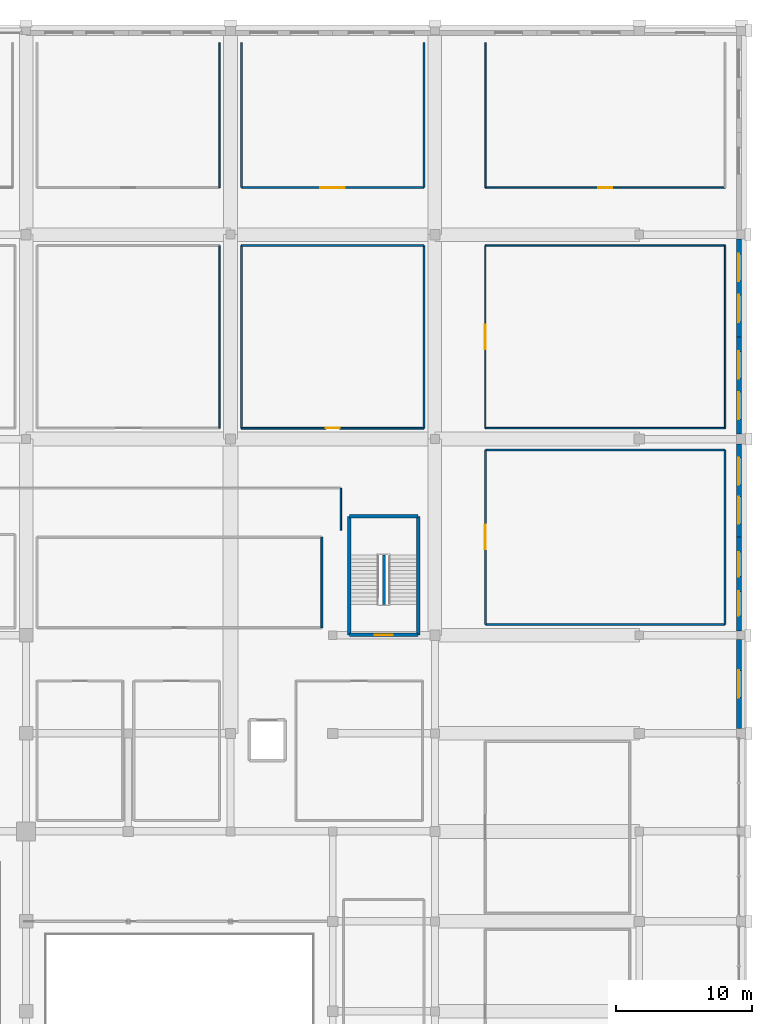
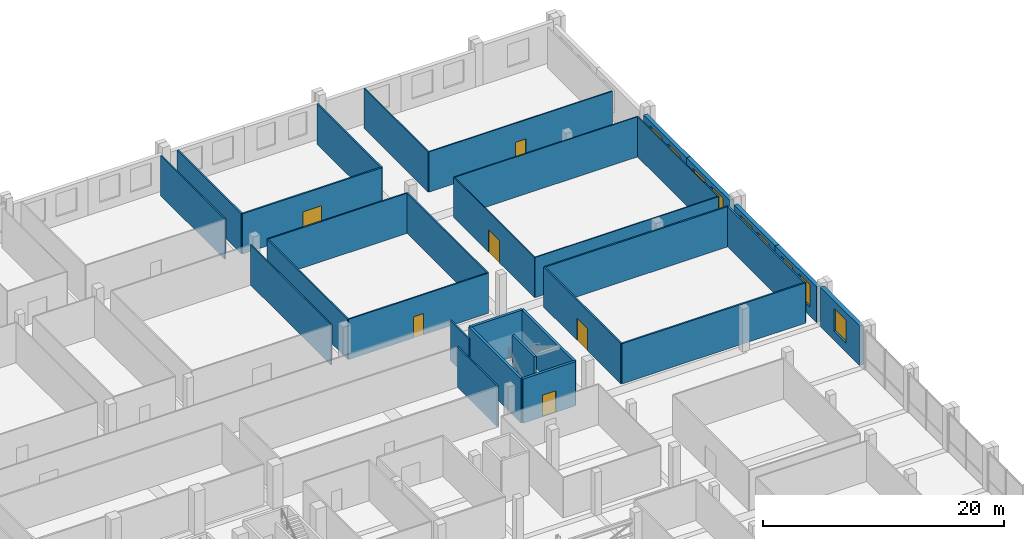
# One storey, part 52 of 64: 31 walls, 9 windows, 6 doors, 15 openings.
"""IFC4 building model written with IfcOpenShell, lengths in metres."""

import ifcopenshell
import ifcopenshell.guid

model = None  # the IFC model being written
_history = None  # IfcOwnerHistory: only IFC2X3 demands one
_inside = {}  # id of a spatial element -> (the spatial element, [elements in it])
_under = {}  # id of a project, library or spatial element -> (it, [spatial elements below it])
_declared = {}  # id of a project -> (the project, [libraries it declares])
_typed = {}  # id of a type object -> (the type object, [elements of that type])
_made_of = {}  # id of a material, layer set ... -> (it, [elements and type objects made of it])


def new_model(schema):
    """Start an empty IFC model of exactly this schema.

    Asked for "IFC4X3", IfcOpenShell would pick the latest addendum, in which some entities
    have other attributes; the version numbers below select the first issue.
    IFC2X3 requires an IfcOwnerHistory on every rooted entity: one is made here for all.
    """
    global model, _history
    if schema == "IFC4X3":
        model = ifcopenshell.file(schema_version=(4, 3, 0, 0))
    else:
        model = ifcopenshell.file(schema=schema)
    _inside.clear()
    _under.clear()
    _declared.clear()
    _typed.clear()
    _made_of.clear()
    _history = None
    if model.schema == "IFC2X3":
        org = make("IfcOrganization", Name="unknown")
        user = make(
            "IfcPersonAndOrganization",
            ThePerson=make("IfcPerson", FamilyName="unknown"),
            TheOrganization=org,
        )
        app = make(
            "IfcApplication",
            ApplicationDeveloper=org,
            Version="unknown",
            ApplicationFullName="unknown",
            ApplicationIdentifier="unknown",
        )
        _history = make(
            "IfcOwnerHistory",
            OwningUser=user,
            OwningApplication=app,
            ChangeAction="ADDED",
            CreationDate=0,
        )
    return model


def make(cls, **values):
    """One entity of the class cls with the attributes given. An attribute that is None is left unset."""
    return model.create_entity(
        cls, **{name: value for name, value in values.items() if value is not None}
    )


def rooted(cls, **values):
    """An entity with a GlobalId (a new one), such as an element, a storey or a relation."""
    return make(cls, GlobalId=ifcopenshell.guid.new(), OwnerHistory=_history, **values)


def si_unit(unit_type, name, prefix=None):
    """IfcSIUnit, for example si_unit("LENGTHUNIT", "METRE", prefix="MILLI")."""
    return make("IfcSIUnit", UnitType=unit_type, Prefix=prefix, Name=name)


def assignment(units):
    """IfcUnitAssignment: the units of a project."""
    return None if units is None else make("IfcUnitAssignment", Units=units)


def point(xyz):
    """IfcCartesianPoint."""
    return None if xyz is None else make("IfcCartesianPoint", Coordinates=xyz)


def direction(xyz):
    """IfcDirection."""
    return None if xyz is None else make("IfcDirection", DirectionRatios=xyz)


def frame(location, z_axis=None, x_axis=None):
    """IfcAxis2Placement3D, a coordinate frame: its origin and axes. An axis left out is left unset."""
    return make(
        "IfcAxis2Placement3D",
        Location=point(location),
        Axis=direction(z_axis),
        RefDirection=direction(x_axis),
    )


def frame_2d(location, x_axis=None):
    """IfcAxis2Placement2D, a coordinate frame in the plane: its origin and x axis."""
    return make(
        "IfcAxis2Placement2D", Location=point(location), RefDirection=direction(x_axis)
    )


def origin():
    """The frame at (0, 0, 0) with its axes left unset."""
    return frame((0.0, 0.0, 0.0))


def place(relative_to, where):
    """IfcLocalPlacement: puts the frame where relative to a parent placement (None: the world)."""
    return make(
        "IfcLocalPlacement", PlacementRelTo=relative_to, RelativePlacement=where
    )


def context(
    kind, dimensions, precision=None, world=None, true_north=None, identifier=None
):
    """IfcGeometricRepresentationContext, for example the 3D "Model" context."""
    return make(
        "IfcGeometricRepresentationContext",
        ContextIdentifier=identifier,
        ContextType=kind,
        CoordinateSpaceDimension=dimensions,
        Precision=precision,
        WorldCoordinateSystem=world,
        TrueNorth=true_north,
    )


def subcontext(parent, identifier, kind, view, scale=None):
    """IfcGeometricRepresentationSubContext, for example "Body" below "Model"."""
    return make(
        "IfcGeometricRepresentationSubContext",
        ContextIdentifier=identifier,
        ContextType=kind,
        ParentContext=parent,
        TargetScale=scale,
        TargetView=view,
    )


def project(units=None, contexts=None):
    """IfcProject with its units and contexts."""
    return rooted(
        "IfcProject",
        Name="project",
        RepresentationContexts=contexts,
        UnitsInContext=assignment(units),
    )


def spatial(cls, under=None, at=None, **own):
    """A site, building, storey or space (cls), placed at a placement, below another one or the project."""
    s = rooted(cls, ObjectPlacement=at, **own)
    if under is not None:
        _under.setdefault(under.id(), (under, []))[1].append(s)
    return s


def profile(cls, at=None, kind="AREA", **sizes):
    """A parametric profile (cls). Its sizes go by their IFC names, for example OverallWidth=200.0."""
    return make(cls, ProfileType=kind, Position=at, **sizes)


def rectangle(**sizes):
    """IfcRectangleProfileDef."""
    return profile("IfcRectangleProfileDef", **sizes)


def extrude(swept, where, along, depth):
    """IfcExtrudedAreaSolid: the profile swept, set in the frame where, extruded along a direction by depth."""
    return make(
        "IfcExtrudedAreaSolid",
        SweptArea=swept,
        Position=where,
        ExtrudedDirection=direction(along),
        Depth=depth,
    )


def shape(context_of_items, identifier, shape_type, items):
    """IfcShapeRepresentation: the items that make up one representation, for example the "Body"."""
    return make(
        "IfcShapeRepresentation",
        ContextOfItems=context_of_items,
        RepresentationIdentifier=identifier,
        RepresentationType=shape_type,
        Items=items,
    )


def material(Name=None, Category=None):
    """IfcMaterial."""
    return make("IfcMaterial", Name=Name, Category=Category)


def layer(
    of_material, thickness, ventilated=None, Name=None, Category=None, Priority=None
):
    """IfcMaterialLayer: one layer of a wall or slab, of a material (None: an air gap)."""
    return make(
        "IfcMaterialLayer",
        Material=of_material,
        LayerThickness=thickness,
        IsVentilated=ventilated,
        Name=Name,
        Category=Category,
        Priority=Priority,
    )


def layer_set(layers, Name=None):
    """IfcMaterialLayerSet."""
    return make("IfcMaterialLayerSet", MaterialLayers=layers, LayerSetName=Name)


def made_of(thing, what):
    """Note that an element or type object is made of a material, layer set ...; save() writes the relation."""
    if what is not None:
        _made_of.setdefault(what.id(), (what, []))[1].append(thing)
    return thing


def type_object(cls, material=None, **own):
    """A type object (cls), such as IfcWallType, which elements share."""
    return made_of(rooted(cls, **own), material)


def element(
    cls,
    number,
    at=None,
    inside=None,
    cuts=None,
    type_object=None,
    material=None,
    context=None,
    identifier="Body",
    shape_type=None,
    held_by="IfcProductDefinitionShape",
    body=None,
    shapes=None,
    **own,
):
    """One element of the class cls, such as IfcWall. Its Tag is "e" and its number.

    at: its placement. inside: the storey or other place that contains it. cuts: it is an
    opening in that element (IfcRelVoidsElement). A single representation is given by context,
    identifier, shape_type and body (its items); several are given by shapes. held_by: the class
    of the entity that holds the representations. save() writes the other relations.
    """
    e = rooted(cls, Tag="e%d" % number, ObjectPlacement=at, **own)
    if body is not None:
        shapes = [shape(context, identifier, shape_type, body)]
    if shapes is not None:
        e.Representation = make(held_by, Representations=shapes)
    if inside is not None:
        _inside.setdefault(inside.id(), (inside, []))[1].append(e)
    if cuts is not None:
        rooted(
            "IfcRelVoidsElement", RelatingBuildingElement=cuts, RelatedOpeningElement=e
        )
    if type_object is not None:
        _typed.setdefault(type_object.id(), (type_object, []))[1].append(e)
    return made_of(e, material)


def fill(opening, filler):
    """IfcRelFillsElement: the door or window that sits in an opening."""
    return rooted(
        "IfcRelFillsElement",
        RelatingOpeningElement=opening,
        RelatedBuildingElement=filler,
    )


def aggregate(whole, parts):
    """IfcRelAggregates: a whole, such as a stair, and the parts it consists of."""
    return rooted("IfcRelAggregates", RelatingObject=whole, RelatedObjects=parts)


def save(model, path):
    """Write the relations noted so far, then the file.

    IfcRelAggregates (storeys below a building ...), IfcRelContainedInSpatialStructure (elements
    in a storey), IfcRelDefinesByType, IfcRelAssociatesMaterial and IfcRelDeclares: one each for
    every whole, place, type object, material and project.
    """
    for whole, parts in _under.values():
        aggregate(whole, parts)
    for where, things in _inside.values():
        rooted(
            "IfcRelContainedInSpatialStructure",
            RelatedElements=things,
            RelatingStructure=where,
        )
    for kind, things in _typed.values():
        rooted("IfcRelDefinesByType", RelatedObjects=things, RelatingType=kind)
    for what, things in _made_of.values():
        rooted("IfcRelAssociatesMaterial", RelatedObjects=things, RelatingMaterial=what)
    for by, libraries in _declared.values():
        rooted("IfcRelDeclares", RelatingContext=by, RelatedDefinitions=libraries)
    model.write(path)


model = new_model("IFC4")

# Units and contexts
model_context = context("Model", 3, precision=1e-05, world=origin(), true_north=direction((0.0, 1.0)))
body_context = subcontext(model_context, "Body", "Model", "MODEL_VIEW")
ifc_project = project(units=[si_unit("LENGTHUNIT", "METRE"), si_unit("AREAUNIT", "SQUARE_METRE"), si_unit("VOLUMEUNIT", "CUBIC_METRE"), si_unit("PLANEANGLEUNIT", "RADIAN"), si_unit("MASSUNIT", "GRAM", prefix="KILO")], contexts=[model_context])

# Site, building, storey
site_placement = place(None, origin())
site = spatial("IfcSite", under=ifc_project, at=site_placement, CompositionType="ELEMENT")
building_placement = place(site_placement, origin())
building = spatial("IfcBuilding", under=site, at=building_placement, Name="Akrevak Sports Hall", CompositionType="ELEMENT")
storey_placement = place(building_placement, frame((0.0, 0.0, 4.60009765625)))
storey = spatial("IfcBuildingStorey", under=building, at=storey_placement, Name="L01", CompositionType="ELEMENT", Elevation=4.60009765625)

# Wall, opening, window
ifc_material_1 = material(Name="Limestone Ashlar", Category="stone")
ifc_layer_1 = layer(ifc_material_1, 0.080078125, Name="Limestone Ashlar")
ifc_material_2 = material(Name="Mineral Wool Thermal Insulation", Category="insulation")
ifc_layer_2 = layer(ifc_material_2, 0.10009765625, Name="Mineral Wool Thermal Insulation")
ifc_material_3 = material(Name="Concrete C40/50", Category="concrete")
ifc_layer_3 = layer(ifc_material_3, 0.199951171875, Name="Concrete C40/50")
ifc_layer_set_1 = layer_set([ifc_layer_1, ifc_layer_2, ifc_layer_3], Name="Limestone Ashlar / Mineral Wool Thermal Insulation / Concrete C40/50")
wall_type_1 = type_object("IfcWallType", Name="ARC-WL-EXT-380", PredefinedType="SOLIDWALL", material=ifc_layer_set_1)
wall_1_placement = place(storey_placement, frame((167.81005859375, 62.77490234375, 0.0), z_axis=(0.0, 0.0, 1.0), x_axis=(0.0, 1.0, 0.0)))
wall_1 = element("IfcWall", 1, at=wall_1_placement, inside=storey, type_object=wall_type_1, Name="Exterior Limestone Wall L01-E10", PredefinedType="SOLIDWALL", context=body_context, shape_type="SweptSolid", body=[
    extrude(rectangle(XDim=6.5, YDim=0.3798828125, at=frame_2d((3.25, 0.0))), origin(), (0.0, 0.0, 1.0), 4.02001953125),
])
opening_1_placement = place(wall_1_placement, frame((2.25, 0.0, 0.919921875)))
opening_1 = element("IfcOpeningElement", 2, at=opening_1_placement, cuts=wall_1, Name="Opening WN-29", PredefinedType="OPENING", context=body_context, shape_type="SweptSolid", body=[
    extrude(rectangle(XDim=2.0, YDim=2.300048828125, at=frame_2d((1.0, 1.14990234375))), frame((0.0, 0.201904296875, 0.0), z_axis=(0.0, -1.0, 0.0), x_axis=(1.0, 0.0, 0.0)), (0.0, 0.0, 1.0), 0.40380859375),
])
ifc_material_4 = material(Name="Thermally Broken Bronze Frame & Double Low-E Glass", Category="glass")
window_type_1 = type_object("IfcWindowType", Name="ARC-WIN-SZ-2000x2300", PartitioningType="SINGLE_PANEL", PredefinedType="WINDOW", material=ifc_material_4)
window_1_placement = place(opening_1_placement, origin())
window_1 = element("IfcWindow", 3, at=window_1_placement, inside=storey, type_object=window_type_1, Name="Beaux-Arts Facade Window WIN-L01-E10", OverallHeight=2.300048828125, OverallWidth=2.0, PartitioningType="SINGLE_PANEL", PredefinedType="WINDOW", context=body_context, shape_type="SweptSolid", body=[
    extrude(rectangle(XDim=2.0, YDim=2.300048828125, at=frame_2d((1.0, 1.14990234375))), frame((0.0, 0.030029296875, 0.0), z_axis=(0.0, -1.0, 0.0), x_axis=(1.0, 0.0, 0.0)), (0.0, 0.0, 1.0), 0.06005859375),
])
fill(opening_1, window_1)

# Wall, openings, windows
wall_2_placement = place(storey_placement, frame((167.81005859375, 69.925048828125, 0.0), z_axis=(0.0, 0.0, 1.0), x_axis=(0.0, 1.0, 0.0)))
wall_2 = element("IfcWall", 4, at=wall_2_placement, inside=storey, type_object=wall_type_1, Name="Exterior Limestone Wall L01-E11", PredefinedType="SOLIDWALL", context=body_context, shape_type="SweptSolid", body=[
    extrude(rectangle(XDim=6.875, YDim=0.3798828125, at=frame_2d((3.4375, 0.0))), origin(), (0.0, 0.0, 1.0), 3.64990234375),
])
opening_2_placement = place(wall_2_placement, frame((1.09375, 0.0, 0.919921875)))
opening_2 = element("IfcOpeningElement", 5, at=opening_2_placement, cuts=wall_2, Name="Opening WN-31", PredefinedType="OPENING", context=body_context, shape_type="SweptSolid", body=[
    extrude(rectangle(XDim=1.800048828125, YDim=2.300048828125, at=frame_2d((0.89990234375, 1.14990234375))), frame((0.0, 0.201904296875, 0.0), z_axis=(0.0, -1.0, 0.0), x_axis=(1.0, 0.0, 0.0)), (0.0, 0.0, 1.0), 0.40380859375),
])
opening_3_placement = place(wall_2_placement, frame((3.981201171875, 0.0, 0.919921875)))
opening_3 = element("IfcOpeningElement", 6, at=opening_3_placement, cuts=wall_2, Name="Opening WN-31", PredefinedType="OPENING", context=body_context, shape_type="SweptSolid", body=[
    extrude(rectangle(XDim=1.800048828125, YDim=2.300048828125, at=frame_2d((0.89990234375, 1.14990234375))), frame((0.0, 0.201904296875, 0.0), z_axis=(0.0, -1.0, 0.0), x_axis=(1.0, 0.0, 0.0)), (0.0, 0.0, 1.0), 0.40380859375),
])
window_type_2 = type_object("IfcWindowType", Name="ARC-WIN-SZ-1800x2300", PartitioningType="SINGLE_PANEL", PredefinedType="WINDOW", material=ifc_material_4)
window_2_placement = place(opening_2_placement, origin())
window_2 = element("IfcWindow", 7, at=window_2_placement, inside=storey, type_object=window_type_2, Name="Beaux-Arts Facade Window WIN-L01-E11-1", OverallHeight=2.300048828125, OverallWidth=1.800048828125, PartitioningType="SINGLE_PANEL", PredefinedType="WINDOW", context=body_context, shape_type="SweptSolid", body=[
    extrude(rectangle(XDim=1.800048828125, YDim=2.300048828125, at=frame_2d((0.89990234375, 1.14990234375))), frame((0.0, 0.030029296875, 0.0), z_axis=(0.0, -1.0, 0.0), x_axis=(1.0, 0.0, 0.0)), (0.0, 0.0, 1.0), 0.06005859375),
])
fill(opening_2, window_2)
window_3_placement = place(opening_3_placement, origin())
window_3 = element("IfcWindow", 8, at=window_3_placement, inside=storey, type_object=window_type_2, Name="Beaux-Arts Facade Window WIN-L01-E11-2", OverallHeight=2.300048828125, OverallWidth=1.800048828125, PartitioningType="SINGLE_PANEL", PredefinedType="WINDOW", context=body_context, shape_type="SweptSolid", body=[
    extrude(rectangle(XDim=1.800048828125, YDim=2.300048828125, at=frame_2d((0.89990234375, 1.14990234375))), frame((0.0, 0.030029296875, 0.0), z_axis=(0.0, -1.0, 0.0), x_axis=(1.0, 0.0, 0.0)), (0.0, 0.0, 1.0), 0.06005859375),
])
fill(opening_3, window_3)

wall_3_placement = place(storey_placement, frame((167.81005859375, 76.800048828125, 0.0), z_axis=(0.0, 0.0, 1.0), x_axis=(0.0, 1.0, 0.0)))
wall_3 = element("IfcWall", 9, at=wall_3_placement, inside=storey, type_object=wall_type_1, Name="Exterior Limestone Wall L01-E12", PredefinedType="SOLIDWALL", context=body_context, shape_type="SweptSolid", body=[
    extrude(rectangle(XDim=6.824951171875, YDim=0.3798828125, at=frame_2d((3.41259765625, 0.0))), origin(), (0.0, 0.0, 1.0), 3.64990234375),
])
opening_4_placement = place(wall_3_placement, frame((0.979248046875, 0.0, 0.919921875)))
opening_4 = element("IfcOpeningElement", 10, at=opening_4_placement, cuts=wall_3, Name="Opening WN-29", PredefinedType="OPENING", context=body_context, shape_type="SweptSolid", body=[
    extrude(rectangle(XDim=2.0, YDim=2.300048828125, at=frame_2d((1.0, 1.14990234375))), frame((0.0, 0.201904296875, 0.0), z_axis=(0.0, -1.0, 0.0), x_axis=(1.0, 0.0, 0.0)), (0.0, 0.0, 1.0), 0.40380859375),
])
opening_5_placement = place(wall_3_placement, frame((3.845703125, 0.0, 0.919921875)))
opening_5 = element("IfcOpeningElement", 11, at=opening_5_placement, cuts=wall_3, Name="Opening WN-29", PredefinedType="OPENING", context=body_context, shape_type="SweptSolid", body=[
    extrude(rectangle(XDim=2.0, YDim=2.300048828125, at=frame_2d((1.0, 1.14990234375))), frame((0.0, 0.201904296875, 0.0), z_axis=(0.0, -1.0, 0.0), x_axis=(1.0, 0.0, 0.0)), (0.0, 0.0, 1.0), 0.40380859375),
])
window_4_placement = place(opening_4_placement, origin())
window_4 = element("IfcWindow", 12, at=window_4_placement, inside=storey, type_object=window_type_1, Name="Beaux-Arts Facade Window WIN-L01-E12-1", OverallHeight=2.300048828125, OverallWidth=2.0, PartitioningType="SINGLE_PANEL", PredefinedType="WINDOW", context=body_context, shape_type="SweptSolid", body=[
    extrude(rectangle(XDim=2.0, YDim=2.300048828125, at=frame_2d((1.0, 1.14990234375))), frame((0.0, 0.030029296875, 0.0), z_axis=(0.0, -1.0, 0.0), x_axis=(1.0, 0.0, 0.0)), (0.0, 0.0, 1.0), 0.06005859375),
])
fill(opening_4, window_4)
window_5_placement = place(opening_5_placement, origin())
window_5 = element("IfcWindow", 13, at=window_5_placement, inside=storey, type_object=window_type_1, Name="Beaux-Arts Facade Window WIN-L01-E12-2", OverallHeight=2.300048828125, OverallWidth=2.0, PartitioningType="SINGLE_PANEL", PredefinedType="WINDOW", context=body_context, shape_type="SweptSolid", body=[
    extrude(rectangle(XDim=2.0, YDim=2.300048828125, at=frame_2d((1.0, 1.14990234375))), frame((0.0, 0.030029296875, 0.0), z_axis=(0.0, -1.0, 0.0), x_axis=(1.0, 0.0, 0.0)), (0.0, 0.0, 1.0), 0.06005859375),
])
fill(opening_5, window_5)

wall_4_placement = place(storey_placement, frame((167.81005859375, 84.375, 0.0), z_axis=(0.0, 0.0, 1.0), x_axis=(0.0, 1.0, 0.0)))
wall_4 = element("IfcWall", 14, at=wall_4_placement, inside=storey, type_object=wall_type_1, Name="Exterior Limestone Wall L01-E13", PredefinedType="SOLIDWALL", context=body_context, shape_type="SweptSolid", body=[
    extrude(rectangle(XDim=7.125, YDim=0.3798828125, at=frame_2d((3.5625, 0.0))), origin(), (0.0, 0.0, 1.0), 3.64990234375),
])
opening_6_placement = place(wall_4_placement, frame((1.066162109375, 0.0, 0.919921875)))
opening_6 = element("IfcOpeningElement", 15, at=opening_6_placement, cuts=wall_4, Name="Opening WN-29", PredefinedType="OPENING", context=body_context, shape_type="SweptSolid", body=[
    extrude(rectangle(XDim=2.0, YDim=2.300048828125, at=frame_2d((1.0, 1.14990234375))), frame((0.0, 0.201904296875, 0.0), z_axis=(0.0, -1.0, 0.0), x_axis=(1.0, 0.0, 0.0)), (0.0, 0.0, 1.0), 0.40380859375),
])
opening_7_placement = place(wall_4_placement, frame((4.058837890625, 0.0, 0.919921875)))
opening_7 = element("IfcOpeningElement", 16, at=opening_7_placement, cuts=wall_4, Name="Opening WN-29", PredefinedType="OPENING", context=body_context, shape_type="SweptSolid", body=[
    extrude(rectangle(XDim=2.0, YDim=2.300048828125, at=frame_2d((1.0, 1.14990234375))), frame((0.0, 0.201904296875, 0.0), z_axis=(0.0, -1.0, 0.0), x_axis=(1.0, 0.0, 0.0)), (0.0, 0.0, 1.0), 0.40380859375),
])
window_6_placement = place(opening_6_placement, origin())
window_6 = element("IfcWindow", 17, at=window_6_placement, inside=storey, type_object=window_type_1, Name="Beaux-Arts Facade Window WIN-L01-E13-1", OverallHeight=2.300048828125, OverallWidth=2.0, PartitioningType="SINGLE_PANEL", PredefinedType="WINDOW", context=body_context, shape_type="SweptSolid", body=[
    extrude(rectangle(XDim=2.0, YDim=2.300048828125, at=frame_2d((1.0, 1.14990234375))), frame((0.0, 0.030029296875, 0.0), z_axis=(0.0, -1.0, 0.0), x_axis=(1.0, 0.0, 0.0)), (0.0, 0.0, 1.0), 0.06005859375),
])
fill(opening_6, window_6)
window_7_placement = place(opening_7_placement, origin())
window_7 = element("IfcWindow", 18, at=window_7_placement, inside=storey, type_object=window_type_1, Name="Beaux-Arts Facade Window WIN-L01-E13-2", OverallHeight=2.300048828125, OverallWidth=2.0, PartitioningType="SINGLE_PANEL", PredefinedType="WINDOW", context=body_context, shape_type="SweptSolid", body=[
    extrude(rectangle(XDim=2.0, YDim=2.300048828125, at=frame_2d((1.0, 1.14990234375))), frame((0.0, 0.030029296875, 0.0), z_axis=(0.0, -1.0, 0.0), x_axis=(1.0, 0.0, 0.0)), (0.0, 0.0, 1.0), 0.06005859375),
])
fill(opening_7, window_7)

wall_5_placement = place(storey_placement, frame((167.81005859375, 91.5, 0.0), z_axis=(0.0, 0.0, 1.0), x_axis=(0.0, 1.0, 0.0)))
wall_5 = element("IfcWall", 19, at=wall_5_placement, inside=storey, type_object=wall_type_1, Name="Exterior Limestone Wall L01-E14", PredefinedType="SOLIDWALL", context=body_context, shape_type="SweptSolid", body=[
    extrude(rectangle(XDim=7.175048828125, YDim=0.3798828125, at=frame_2d((3.58740234375, 0.0))), origin(), (0.0, 0.0, 1.0), 3.64990234375),
])
opening_8_placement = place(wall_5_placement, frame((1.080810546875, 0.0, 0.919921875)))
opening_8 = element("IfcOpeningElement", 20, at=opening_8_placement, cuts=wall_5, Name="Opening WN-29", PredefinedType="OPENING", context=body_context, shape_type="SweptSolid", body=[
    extrude(rectangle(XDim=2.0, YDim=2.300048828125, at=frame_2d((1.0, 1.14990234375))), frame((0.0, 0.201904296875, 0.0), z_axis=(0.0, -1.0, 0.0), x_axis=(1.0, 0.0, 0.0)), (0.0, 0.0, 1.0), 0.40380859375),
])
opening_9_placement = place(wall_5_placement, frame((4.09423828125, 0.0, 0.919921875)))
opening_9 = element("IfcOpeningElement", 21, at=opening_9_placement, cuts=wall_5, Name="Opening WN-29", PredefinedType="OPENING", context=body_context, shape_type="SweptSolid", body=[
    extrude(rectangle(XDim=2.0, YDim=2.300048828125, at=frame_2d((1.0, 1.14990234375))), frame((0.0, 0.201904296875, 0.0), z_axis=(0.0, -1.0, 0.0), x_axis=(1.0, 0.0, 0.0)), (0.0, 0.0, 1.0), 0.40380859375),
])
window_8_placement = place(opening_8_placement, origin())
window_8 = element("IfcWindow", 22, at=window_8_placement, inside=storey, type_object=window_type_1, Name="Beaux-Arts Facade Window WIN-L01-E14-1", OverallHeight=2.300048828125, OverallWidth=2.0, PartitioningType="SINGLE_PANEL", PredefinedType="WINDOW", context=body_context, shape_type="SweptSolid", body=[
    extrude(rectangle(XDim=2.0, YDim=2.300048828125, at=frame_2d((1.0, 1.14990234375))), frame((0.0, 0.030029296875, 0.0), z_axis=(0.0, -1.0, 0.0), x_axis=(1.0, 0.0, 0.0)), (0.0, 0.0, 1.0), 0.06005859375),
])
fill(opening_8, window_8)
window_9_placement = place(opening_9_placement, origin())
window_9 = element("IfcWindow", 23, at=window_9_placement, inside=storey, type_object=window_type_1, Name="Beaux-Arts Facade Window WIN-L01-E14-2", OverallHeight=2.300048828125, OverallWidth=2.0, PartitioningType="SINGLE_PANEL", PredefinedType="WINDOW", context=body_context, shape_type="SweptSolid", body=[
    extrude(rectangle(XDim=2.0, YDim=2.300048828125, at=frame_2d((1.0, 1.14990234375))), frame((0.0, 0.030029296875, 0.0), z_axis=(0.0, -1.0, 0.0), x_axis=(1.0, 0.0, 0.0)), (0.0, 0.0, 1.0), 0.06005859375),
])
fill(opening_9, window_9)

# Walls
ifc_material_5 = material(Name="Sanitary Cubicle Partition", Category="gypsum")
ifc_layer_4 = layer(ifc_material_5, 0.10009765625, Name="Sanitary Cubicle Partition")
ifc_layer_set_2 = layer_set([ifc_layer_4], Name="Sanitary Cubicle Partition")
wall_type_2 = type_object("IfcWallType", Name="ARC-WL-PRT-100", PredefinedType="PARTITIONING", material=ifc_layer_set_2)
for number, where, z_axis, x_axis, name in (
    (24, (149.199951171875, 84.800048828125, 0.0), (0.0, 0.0, 1.0), (1.0, 0.0, 0.0), "Interior Partition North-East Gear Storage L01-2 (S)"),
    (25, (149.199951171875, 98.199951171875, 0.0), (0.0, 0.0, 1.0), (1.0, 0.0, 0.0), "Interior Partition North-East Gear Storage L01-2 (N)"),
):
    element("IfcWall", number, at=place(storey_placement, frame(where, z_axis=z_axis, x_axis=x_axis)), inside=storey, type_object=wall_type_2, Name=name, PredefinedType="PARTITIONING", context=body_context, shape_type="SweptSolid", body=[
        extrude(rectangle(XDim=17.60009765625, YDim=0.10009765625, at=frame_2d((8.800048828125, 0.0))), origin(), (0.0, 0.0, 1.0), 4.079833984375),
    ])

# Wall, opening, door
wall_6_placement = place(storey_placement, frame((149.199951171875, 84.800048828125, 0.0), z_axis=(0.0, 0.0, 1.0), x_axis=(0.0, 1.0, 0.0)))
wall_6 = element("IfcWall", 26, at=wall_6_placement, inside=storey, type_object=wall_type_2, Name="Interior Partition North-East Gear Storage L01-2 (W)", PredefinedType="PARTITIONING", context=body_context, shape_type="SweptSolid", body=[
    extrude(rectangle(XDim=13.39990234375, YDim=0.10009765625, at=frame_2d((6.699951171875, 0.0))), origin(), (0.0, 0.0, 1.0), 4.079833984375),
])
opening_10_placement = place(wall_6_placement, frame((5.800048828125, 0.0, 0.0)))
opening_10 = element("IfcOpeningElement", 27, at=opening_10_placement, cuts=wall_6, Name="Opening ID-02", PredefinedType="OPENING", context=body_context, shape_type="SweptSolid", body=[
    extrude(rectangle(XDim=1.800048828125, YDim=2.25, at=frame_2d((0.89990234375, 1.125))), frame((0.0, 0.06201171875, 0.0), z_axis=(0.0, -1.0, 0.0), x_axis=(1.0, 0.0, 0.0)), (0.0, 0.0, 1.0), 0.1240234375),
])
ifc_material_6 = material(Name="Hardwood Oak & Safety Glass", Category="wood")
door_type_1 = type_object("IfcDoorType", Name="ARC-DR-HALL-180x225", OperationType="DOUBLE_DOOR_SINGLE_SWING", PredefinedType="DOOR", material=ifc_material_6)
door_1_placement = place(opening_10_placement, origin())
door_1 = element("IfcDoor", 28, at=door_1_placement, inside=storey, type_object=door_type_1, Name="Door to North-East Gear Storage L01-2", OperationType="DOUBLE_DOOR_SINGLE_SWING", OverallHeight=2.25, OverallWidth=1.800048828125, PredefinedType="DOOR", context=body_context, shape_type="SweptSolid", body=[
    extrude(rectangle(XDim=1.800048828125, YDim=2.25, at=frame_2d((0.89990234375, 1.125))), frame((0.0, 0.02490234375, 0.0), z_axis=(0.0, -1.0, 0.0), x_axis=(1.0, 0.0, 0.0)), (0.0, 0.0, 1.0), 0.050048828125),
])
fill(opening_10, door_1)

# Wall
wall_7_placement = place(storey_placement, frame((166.800048828125, 84.800048828125, 0.0), z_axis=(0.0, 0.0, 1.0), x_axis=(0.0, 1.0, 0.0)))
element("IfcWall", 29, at=wall_7_placement, inside=storey, type_object=wall_type_2, Name="Interior Partition North-East Gear Storage L01-2 (E)", PredefinedType="PARTITIONING", context=body_context, shape_type="SweptSolid", body=[
    extrude(rectangle(XDim=13.39990234375, YDim=0.10009765625, at=frame_2d((6.699951171875, 0.0))), origin(), (0.0, 0.0, 1.0), 4.079833984375),
])

# Wall, opening, door
ifc_material_7 = material(Name="Lightweight Office Partition", Category="gypsum")
ifc_layer_5 = layer(ifc_material_7, 0.110107421875, Name="Lightweight Office Partition")
ifc_layer_set_3 = layer_set([ifc_layer_5], Name="Lightweight Office Partition")
wall_type_3 = type_object("IfcWallType", Name="ARC-WL-PRT-110", PredefinedType="PARTITIONING", material=ifc_layer_set_3)
wall_8_placement = place(storey_placement, frame((149.199951171875, 102.449951171875, 0.0), z_axis=(0.0, 0.0, 1.0), x_axis=(1.0, 0.0, 0.0)))
wall_8 = element("IfcWall", 30, at=wall_8_placement, inside=storey, type_object=wall_type_3, Name="Interior Partition Federation Officiating & Records Office L01-12 (S)", PredefinedType="PARTITIONING", context=body_context, shape_type="SweptSolid", body=[
    extrude(rectangle(XDim=17.60009765625, YDim=0.110107421875, at=frame_2d((8.800048828125, 0.0))), origin(), (0.0, 0.0, 1.0), 4.079833984375),
])
opening_11_placement = place(wall_8_placement, frame((8.300048828125, 0.0, 0.0)))
opening_11 = element("IfcOpeningElement", 31, at=opening_11_placement, cuts=wall_8, Name="Opening ID-06", PredefinedType="OPENING", context=body_context, shape_type="SweptSolid", body=[
    extrude(rectangle(XDim=1.0, YDim=2.14990234375, at=frame_2d((0.5, 1.074951171875))), frame((0.0, 0.06689453125, 0.0), z_axis=(0.0, -1.0, 0.0), x_axis=(1.0, 0.0, 0.0)), (0.0, 0.0, 1.0), 0.134033203125),
])
ifc_material_8 = material(Name="Hardwood Oak Acoustic Leaf", Category="wood")
door_type_2 = type_object("IfcDoorType", Name="ARC-DR-OFF-100x215", OperationType="NOTDEFINED", PredefinedType="DOOR", material=ifc_material_8)
door_2_placement = place(opening_11_placement, origin())
door_2 = element("IfcDoor", 32, at=door_2_placement, inside=storey, type_object=door_type_2, Name="Door to Federation Officiating & Records Office L01-12", OperationType="SINGLE_SWING_LEFT", OverallHeight=2.14990234375, OverallWidth=1.0, PredefinedType="DOOR", context=body_context, shape_type="SweptSolid", body=[
    extrude(rectangle(XDim=1.0, YDim=2.14990234375, at=frame_2d((0.5, 1.074951171875))), frame((0.0, 0.02490234375, 0.0), z_axis=(0.0, -1.0, 0.0), x_axis=(1.0, 0.0, 0.0)), (0.0, 0.0, 1.0), 0.050048828125),
])
fill(opening_11, door_2)

# Walls
wall_9_placement = place(storey_placement, frame((149.199951171875, 102.449951171875, 0.0), z_axis=(0.0, 0.0, 1.0), x_axis=(0.0, 1.0, 0.0)))
element("IfcWall", 33, at=wall_9_placement, inside=storey, type_object=wall_type_3, Name="Interior Partition Federation Officiating & Records Office L01-12 (W)", PredefinedType="PARTITIONING", context=body_context, shape_type="SweptSolid", body=[
    extrude(rectangle(XDim=10.650146484375, YDim=0.110107421875, at=frame_2d((5.3251953125, 0.0))), origin(), (0.0, 0.0, 1.0), 4.079833984375),
])
ifc_material_9 = material(Name="Standard Metal Stud Partition", Category="gypsum")
ifc_layer_6 = layer(ifc_material_9, 0.1201171875, Name="Standard Metal Stud Partition")
ifc_layer_set_4 = layer_set([ifc_layer_6], Name="Standard Metal Stud Partition")
wall_type_4 = type_object("IfcWallType", Name="ARC-WL-PRT-120", PredefinedType="PARTITIONING", material=ifc_layer_set_4)
wall_10_placement = place(storey_placement, frame((129.699951171875, 84.800048828125, 0.0), z_axis=(0.0, 0.0, 1.0), x_axis=(0.0, 1.0, 0.0)))
element("IfcWall", 34, at=wall_10_placement, inside=storey, type_object=wall_type_4, Name="Interior Partition Athletic Gear & Equipment Storage L01-10 (E)", PredefinedType="PARTITIONING", context=body_context, shape_type="SweptSolid", body=[
    extrude(rectangle(XDim=13.39990234375, YDim=0.1201171875, at=frame_2d((6.699951171875, 0.0))), origin(), (0.0, 0.0, 1.0), 4.079833984375),
])
wall_11_placement = place(storey_placement, frame((129.699951171875, 102.449951171875, 0.0), z_axis=(0.0, 0.0, 1.0), x_axis=(0.0, 1.0, 0.0)))
element("IfcWall", 35, at=wall_11_placement, inside=storey, type_object=wall_type_4, Name="Interior Partition Federation Officiating & Records Office L01-10 (E)", PredefinedType="PARTITIONING", context=body_context, shape_type="SweptSolid", body=[
    extrude(rectangle(XDim=10.650146484375, YDim=0.1201171875, at=frame_2d((5.3251953125, 0.0))), origin(), (0.0, 0.0, 1.0), 4.079833984375),
])
wall_12_placement = place(storey_placement, frame((138.60009765625, 77.300048828125, 0.0), z_axis=(0.0, 0.0, 1.0), x_axis=(0.0, 1.0, 0.0)))
element("IfcWall", 36, at=wall_12_placement, inside=storey, type_object=wall_type_4, Name="Interior Partition North-East Concourse Gear Storage L01 (E)", PredefinedType="PARTITIONING", context=body_context, shape_type="SweptSolid", body=[
    extrude(rectangle(XDim=3.099853515625, YDim=0.1201171875, at=frame_2d((1.5498046875, 0.0))), origin(), (0.0, 0.0, 1.0), 4.079833984375),
])

# Wall, opening, door
ifc_material_10 = material(Name="Acoustic Metal Stud Partition", Category="gypsum")
ifc_layer_7 = layer(ifc_material_10, 0.1298828125, Name="Acoustic Metal Stud Partition")
ifc_layer_set_5 = layer_set([ifc_layer_7], Name="Acoustic Metal Stud Partition")
wall_type_5 = type_object("IfcWallType", Name="ARC-WL-PRT-130", PredefinedType="PARTITIONING", material=ifc_layer_set_5)
wall_13_placement = place(storey_placement, frame((131.300048828125, 84.800048828125, 0.0), z_axis=(0.0, 0.0, 1.0), x_axis=(1.0, 0.0, 0.0)))
wall_13 = element("IfcWall", 37, at=wall_13_placement, inside=storey, type_object=wall_type_5, Name="Interior Partition Sports Federation Training Office L01-11 (S)", PredefinedType="PARTITIONING", context=body_context, shape_type="SweptSolid", body=[
    extrude(rectangle(XDim=13.39990234375, YDim=0.1298828125, at=frame_2d((6.699951171875, 0.0))), origin(), (0.0, 0.0, 1.0), 4.079833984375),
])
opening_12_placement = place(wall_13_placement, frame((6.199951171875, 0.0, 0.0)))
opening_12 = element("IfcOpeningElement", 38, at=opening_12_placement, cuts=wall_13, Name="Opening ID-06", PredefinedType="OPENING", context=body_context, shape_type="SweptSolid", body=[
    extrude(rectangle(XDim=1.0, YDim=2.14990234375, at=frame_2d((0.5, 1.074951171875))), frame((0.0, 0.076904296875, 0.0), z_axis=(0.0, -1.0, 0.0), x_axis=(1.0, 0.0, 0.0)), (0.0, 0.0, 1.0), 0.15380859375),
])
door_3_placement = place(opening_12_placement, origin())
door_3 = element("IfcDoor", 39, at=door_3_placement, inside=storey, type_object=door_type_2, Name="Door to Sports Federation Training Office L01-11", OperationType="SINGLE_SWING_LEFT", OverallHeight=2.14990234375, OverallWidth=1.0, PredefinedType="DOOR", context=body_context, shape_type="SweptSolid", body=[
    extrude(rectangle(XDim=1.0, YDim=2.14990234375, at=frame_2d((0.5, 1.074951171875))), frame((0.0, 0.02490234375, 0.0), z_axis=(0.0, -1.0, 0.0), x_axis=(1.0, 0.0, 0.0)), (0.0, 0.0, 1.0), 0.050048828125),
])
fill(opening_12, door_3)

# Walls
for number, where, z_axis, x_axis, name in (
    (40, (131.300048828125, 98.199951171875, 0.0), (0.0, 0.0, 1.0), (1.0, 0.0, 0.0), "Interior Partition Sports Federation Training Office L01-11 (N)"),
    (41, (131.300048828125, 84.800048828125, 0.0), (0.0, 0.0, 1.0), (0.0, 1.0, 0.0), "Interior Partition Sports Federation Training Office L01-11 (W)"),
    (42, (144.699951171875, 84.800048828125, 0.0), (0.0, 0.0, 1.0), (0.0, 1.0, 0.0), "Interior Partition Sports Federation Training Office L01-11 (E)"),
):
    element("IfcWall", number, at=place(storey_placement, frame(where, z_axis=z_axis, x_axis=x_axis)), inside=storey, type_object=wall_type_5, Name=name, PredefinedType="PARTITIONING", context=body_context, shape_type="SweptSolid", body=[
        extrude(rectangle(XDim=13.39990234375, YDim=0.1298828125, at=frame_2d((6.699951171875, 0.0))), origin(), (0.0, 0.0, 1.0), 4.079833984375),
    ])
ifc_material_11 = material(Name="Moisture-Resistant Wet-Area Partition", Category="gypsum")
ifc_layer_8 = layer(ifc_material_11, 0.139892578125, Name="Moisture-Resistant Wet-Area Partition")
ifc_layer_set_6 = layer_set([ifc_layer_8], Name="Moisture-Resistant Wet-Area Partition")
wall_type_6 = type_object("IfcWallType", Name="ARC-WL-PRT-140", PredefinedType="PARTITIONING", material=ifc_layer_set_6)
wall_14_placement = place(storey_placement, frame((137.199951171875, 70.14990234375, 0.0), z_axis=(0.0, 0.0, 1.0), x_axis=(0.0, 1.0, 0.0)))
element("IfcWall", 43, at=wall_14_placement, inside=storey, type_object=wall_type_6, Name="Interior Partition Fitness Shower & Wet Suite L01 (E)", PredefinedType="PARTITIONING", context=body_context, shape_type="SweptSolid", body=[
    extrude(rectangle(XDim=6.650146484375, YDim=0.139892578125, at=frame_2d((3.3251953125, 0.0))), origin(), (0.0, 0.0, 1.0), 4.079833984375),
])

# Wall, opening, door
ifc_material_12 = material(Name="Double Stud Acoustic Gypsum Partition", Category="gypsum")
ifc_layer_9 = layer(ifc_material_12, 0.14990234375, Name="Double Stud Acoustic Gypsum Partition")
ifc_layer_set_7 = layer_set([ifc_layer_9], Name="Double Stud Acoustic Gypsum Partition")
wall_type_7 = type_object("IfcWallType", Name="ARC-WL-PRT-150", PredefinedType="PARTITIONING", material=ifc_layer_set_7)
wall_15_placement = place(storey_placement, frame((131.300048828125, 102.449951171875, 0.0), z_axis=(0.0, 0.0, 1.0), x_axis=(1.0, 0.0, 0.0)))
wall_15 = element("IfcWall", 44, at=wall_15_placement, inside=storey, type_object=wall_type_7, Name="Interior Partition Competition Equipment Storage L01-11 (S)", PredefinedType="PARTITIONING", context=body_context, shape_type="SweptSolid", body=[
    extrude(rectangle(XDim=13.39990234375, YDim=0.14990234375, at=frame_2d((6.699951171875, 0.0))), origin(), (0.0, 0.0, 1.0), 4.079833984375),
])
opening_13_placement = place(wall_15_placement, frame((5.800048828125, 0.0, 0.0)))
opening_13 = element("IfcOpeningElement", 45, at=opening_13_placement, cuts=wall_15, Name="Opening ID-02", PredefinedType="OPENING", context=body_context, shape_type="SweptSolid", body=[
    extrude(rectangle(XDim=1.800048828125, YDim=2.25, at=frame_2d((0.89990234375, 1.125))), frame((0.0, 0.0869140625, 0.0), z_axis=(0.0, -1.0, 0.0), x_axis=(1.0, 0.0, 0.0)), (0.0, 0.0, 1.0), 0.173828125),
])
door_4_placement = place(opening_13_placement, origin())
door_4 = element("IfcDoor", 46, at=door_4_placement, inside=storey, type_object=door_type_1, Name="Door to Competition Equipment Storage L01-11", OperationType="DOUBLE_DOOR_SINGLE_SWING", OverallHeight=2.25, OverallWidth=1.800048828125, PredefinedType="DOOR", context=body_context, shape_type="SweptSolid", body=[
    extrude(rectangle(XDim=1.800048828125, YDim=2.25, at=frame_2d((0.89990234375, 1.125))), frame((0.0, 0.02490234375, 0.0), z_axis=(0.0, -1.0, 0.0), x_axis=(1.0, 0.0, 0.0)), (0.0, 0.0, 1.0), 0.050048828125),
])
fill(opening_13, door_4)

# Walls
for number, where, z_axis, x_axis, name in (
    (47, (131.300048828125, 102.449951171875, 0.0), (0.0, 0.0, 1.0), (0.0, 1.0, 0.0), "Interior Partition Competition Equipment Storage L01-11 (W)"),
    (48, (144.699951171875, 102.449951171875, 0.0), (0.0, 0.0, 1.0), (0.0, 1.0, 0.0), "Interior Partition Competition Equipment Storage L01-11 (E)"),
):
    element("IfcWall", number, at=place(storey_placement, frame(where, z_axis=z_axis, x_axis=x_axis)), inside=storey, type_object=wall_type_7, Name=name, PredefinedType="PARTITIONING", context=body_context, shape_type="SweptSolid", body=[
        extrude(rectangle(XDim=10.650146484375, YDim=0.14990234375, at=frame_2d((5.3251953125, 0.0))), origin(), (0.0, 0.0, 1.0), 4.079833984375),
    ])
for number, where, z_axis, x_axis, name in (
    (49, (149.199951171875, 70.39990234375, 0.0), (0.0, 0.0, 1.0), (1.0, 0.0, 0.0), "Interior Partition North-East Gear Storage L01-1 (S)"),
    (50, (149.199951171875, 83.199951171875, 0.0), (0.0, 0.0, 1.0), (1.0, 0.0, 0.0), "Interior Partition North-East Gear Storage L01-1 (N)"),
):
    element("IfcWall", number, at=place(storey_placement, frame(where, z_axis=z_axis, x_axis=x_axis)), inside=storey, type_object=wall_type_7, Name=name, PredefinedType="PARTITIONING", context=body_context, shape_type="SweptSolid", body=[
        extrude(rectangle(XDim=17.60009765625, YDim=0.14990234375, at=frame_2d((8.800048828125, 0.0))), origin(), (0.0, 0.0, 1.0), 4.079833984375),
    ])

# Wall, opening, door
wall_16_placement = place(storey_placement, frame((149.199951171875, 70.39990234375, 0.0), z_axis=(0.0, 0.0, 1.0), x_axis=(0.0, 1.0, 0.0)))
wall_16 = element("IfcWall", 51, at=wall_16_placement, inside=storey, type_object=wall_type_7, Name="Interior Partition North-East Gear Storage L01-1 (W)", PredefinedType="PARTITIONING", context=body_context, shape_type="SweptSolid", body=[
    extrude(rectangle(XDim=12.800048828125, YDim=0.14990234375, at=frame_2d((6.39990234375, 0.0))), origin(), (0.0, 0.0, 1.0), 4.079833984375),
])
opening_14_placement = place(wall_16_placement, frame((5.5, 0.0, 0.0)))
opening_14 = element("IfcOpeningElement", 52, at=opening_14_placement, cuts=wall_16, Name="Opening ID-02", PredefinedType="OPENING", context=body_context, shape_type="SweptSolid", body=[
    extrude(rectangle(XDim=1.800048828125, YDim=2.25, at=frame_2d((0.89990234375, 1.125))), frame((0.0, 0.0869140625, 0.0), z_axis=(0.0, -1.0, 0.0), x_axis=(1.0, 0.0, 0.0)), (0.0, 0.0, 1.0), 0.173828125),
])
door_5_placement = place(opening_14_placement, origin())
door_5 = element("IfcDoor", 53, at=door_5_placement, inside=storey, type_object=door_type_1, Name="Door to North-East Gear Storage L01-1", OperationType="DOUBLE_DOOR_SINGLE_SWING", OverallHeight=2.25, OverallWidth=1.800048828125, PredefinedType="DOOR", context=body_context, shape_type="SweptSolid", body=[
    extrude(rectangle(XDim=1.800048828125, YDim=2.25, at=frame_2d((0.89990234375, 1.125))), frame((0.0, 0.02490234375, 0.0), z_axis=(0.0, -1.0, 0.0), x_axis=(1.0, 0.0, 0.0)), (0.0, 0.0, 1.0), 0.050048828125),
])
fill(opening_14, door_5)

# Walls
wall_17_placement = place(storey_placement, frame((166.800048828125, 70.39990234375, 0.0), z_axis=(0.0, 0.0, 1.0), x_axis=(0.0, 1.0, 0.0)))
element("IfcWall", 54, at=wall_17_placement, inside=storey, type_object=wall_type_7, Name="Interior Partition North-East Gear Storage L01-1 (E)", PredefinedType="PARTITIONING", context=body_context, shape_type="SweptSolid", body=[
    extrude(rectangle(XDim=12.800048828125, YDim=0.14990234375, at=frame_2d((6.39990234375, 0.0))), origin(), (0.0, 0.0, 1.0), 4.079833984375),
])
ifc_layer_10 = layer(ifc_material_3, 0.219970703125, Name="Concrete C40/50")
ifc_layer_set_8 = layer_set([ifc_layer_10], Name="Concrete C40/50")
wall_type_8 = type_object("IfcWallType", Name="ARC-WL-PRT-220", PredefinedType="PARTITIONING", material=ifc_layer_set_8)
wall_18_placement = place(storey_placement, frame((141.75, 71.85009765625, 0.0), z_axis=(0.0, 0.0, 1.0), x_axis=(0.0, 1.0, 0.0)))
element("IfcWall", 55, at=wall_18_placement, inside=storey, type_object=wall_type_8, Name="Stair ST8 Central Spine Wall (L01)", PredefinedType="PARTITIONING", context=body_context, shape_type="SweptSolid", body=[
    extrude(rectangle(XDim=3.639892578125, YDim=0.219970703125, at=frame_2d((1.81982421875, 0.0))), origin(), (0.0, 0.0, 1.0), 4.47998046875),
])

# Wall, opening, door
ifc_material_13 = material(Name="Concrete C50/60", Category="concrete")
ifc_layer_11 = layer(ifc_material_13, 0.25, Name="Concrete C50/60")
ifc_layer_set_9 = layer_set([ifc_layer_11], Name="Concrete C50/60")
wall_type_9 = type_object("IfcWallType", Name="STR-WL-STAIR-250", PredefinedType="SHEAR", material=ifc_layer_set_9)
wall_19_placement = place(storey_placement, frame((139.22509765625, 69.625, 0.0), z_axis=(0.0, 0.0, 1.0), x_axis=(1.0, 0.0, 0.0)))
wall_19 = element("IfcWall", 56, at=wall_19_placement, inside=storey, type_object=wall_type_9, Name="Stair Core ST8 Shear Wall S (L01)", PredefinedType="SHEAR", context=body_context, shape_type="SweptSolid", body=[
    extrude(rectangle(XDim=5.0498046875, YDim=0.25, at=frame_2d((2.52490234375, 0.0))), origin(), (0.0, 0.0, 1.0), 4.47998046875),
])
opening_15_placement = place(wall_19_placement, frame((1.875, 0.0, 0.0)))
opening_15 = element("IfcOpeningElement", 57, at=opening_15_placement, cuts=wall_19, Name="Opening SD-01", PredefinedType="OPENING", context=body_context, shape_type="SweptSolid", body=[
    extrude(rectangle(XDim=1.300048828125, YDim=2.199951171875, at=frame_2d((0.64990234375, 1.10009765625))), frame((0.0, 0.136962890625, 0.0), z_axis=(0.0, -1.0, 0.0), x_axis=(1.0, 0.0, 0.0)), (0.0, 0.0, 1.0), 0.27392578125),
])
ifc_material_14 = material(Name="Fire-Rated Galvanized Door Steel", Category="steel")
door_type_3 = type_object("IfcDoorType", Name="ARC-DR-STAIR-130x220", OperationType="NOTDEFINED", PredefinedType="DOOR", material=ifc_material_14)
door_6_placement = place(opening_15_placement, origin())
door_6 = element("IfcDoor", 58, at=door_6_placement, inside=storey, type_object=door_type_3, Name="Exit Stair ST8 Door (L01)", OperationType="SINGLE_SWING_RIGHT", OverallHeight=2.199951171875, OverallWidth=1.300048828125, PredefinedType="DOOR", context=body_context, shape_type="SweptSolid", body=[
    extrude(rectangle(XDim=1.300048828125, YDim=2.199951171875, at=frame_2d((0.64990234375, 1.10009765625))), frame((0.0, 0.02490234375, 0.0), z_axis=(0.0, -1.0, 0.0), x_axis=(1.0, 0.0, 0.0)), (0.0, 0.0, 1.0), 0.050048828125),
])
fill(opening_15, door_6)

# Walls
wall_20_placement = place(storey_placement, frame((144.27490234375, 78.324951171875, 0.0), z_axis=(0.0, 0.0, 1.0), x_axis=(-1.0, 0.0, 0.0)))
element("IfcWall", 59, at=wall_20_placement, inside=storey, type_object=wall_type_9, Name="Stair Core ST8 Shear Wall N (L01)", PredefinedType="SHEAR", context=body_context, shape_type="SweptSolid", body=[
    extrude(rectangle(XDim=5.0498046875, YDim=0.25, at=frame_2d((2.52490234375, 0.0))), origin(), (0.0, 0.0, 1.0), 4.47998046875),
])
for number, where, z_axis, x_axis, name in (
    (60, (139.22509765625, 78.324951171875, 0.0), (0.0, 0.0, 1.0), (0.0, -1.0, 0.0), "Stair Core ST8 Shear Wall W (L01)"),
    (61, (144.27490234375, 69.625, 0.0), (0.0, 0.0, 1.0), (0.0, 1.0, 0.0), "Stair Core ST8 Shear Wall E (L01)"),
):
    element("IfcWall", number, at=place(storey_placement, frame(where, z_axis=z_axis, x_axis=x_axis)), inside=storey, type_object=wall_type_9, Name=name, PredefinedType="SHEAR", context=body_context, shape_type="SweptSolid", body=[
        extrude(rectangle(XDim=8.699951171875, YDim=0.25, at=frame_2d((4.35009765625, 0.0))), origin(), (0.0, 0.0, 1.0), 4.47998046875),
    ])

save(model, "model.ifc")
